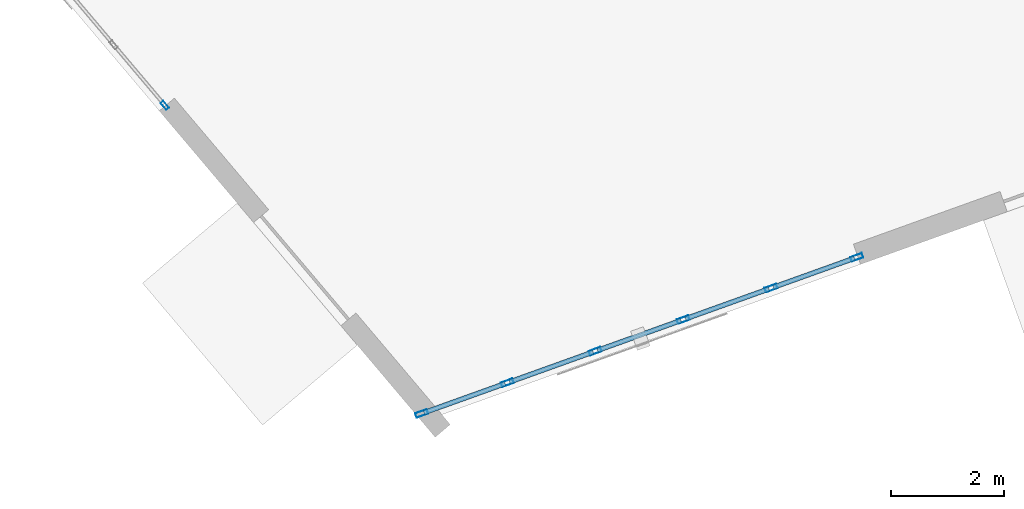
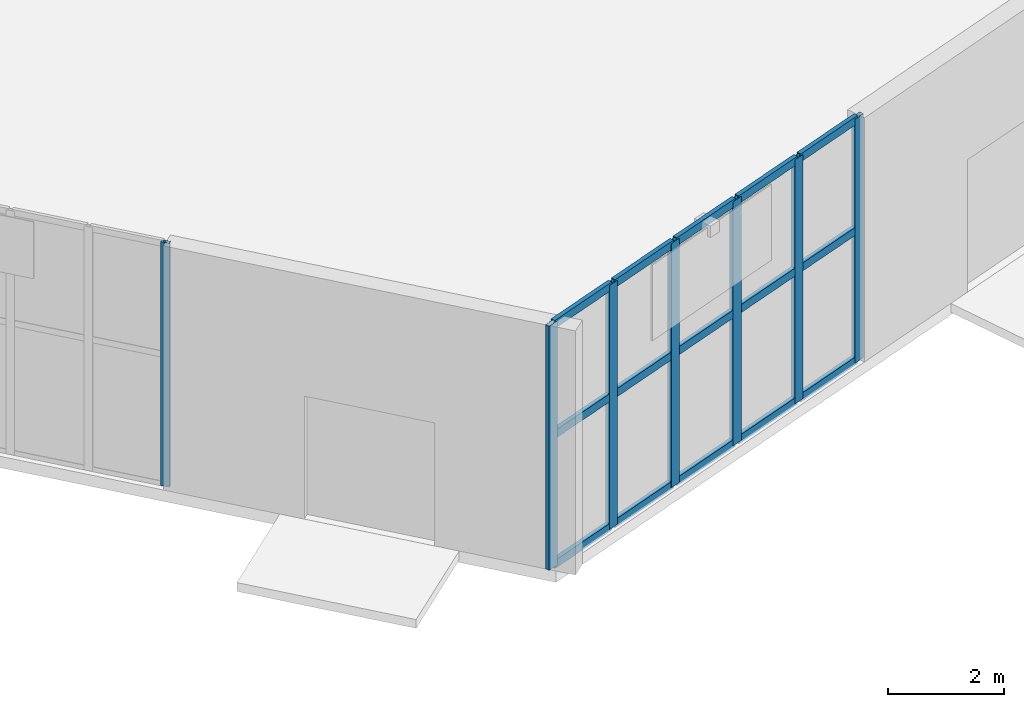
# One storey, part 32 of 139: 22 members, 2 elements without a shape of their own.
"""IFC4 building model written with IfcOpenShell, lengths in metres."""

from ifc_helpers import new_model, si_unit, direction, frame, origin, origin_2d, place, context, subcontext, project, spatial, hollow_rectangle, extrude, material, layer, layer_set, material_profile, profile_set, type_object, element, aggregate, save


model = new_model("IFC4")

# Units and contexts
model_context = context("Model", 3, precision=1e-05, world=origin(), true_north=direction((0.0, 1.0)))
body_context = subcontext(model_context, "Body", "Model", "MODEL_VIEW")
ifc_project = project(units=[si_unit("LENGTHUNIT", "METRE"), si_unit("AREAUNIT", "SQUARE_METRE"), si_unit("VOLUMEUNIT", "CUBIC_METRE"), si_unit("PLANEANGLEUNIT", "RADIAN"), si_unit("MASSUNIT", "GRAM", prefix="KILO")], contexts=[model_context])

# Site, building, storey
site_placement = place(None, origin())
site = spatial("IfcSite", under=ifc_project, at=site_placement, CompositionType="ELEMENT")
building_placement = place(site_placement, origin())
building = spatial("IfcBuilding", under=site, at=building_placement, Name="Xicomal Pleat Aquarium", CompositionType="ELEMENT")
storey_placement = place(building_placement, origin())
storey = spatial("IfcBuildingStorey", under=building, at=storey_placement, Name="L01", CompositionType="ELEMENT", Elevation=0.0)

# Curtain wall, member
ifc_material_1 = material(Name="Bronze anodized aluminium 6063-T6", Category="aluminium")
ifc_layer_1 = layer(ifc_material_1, 0.159912109375)
ifc_layer_set_1 = layer_set([ifc_layer_1], Name="Bronze anodized aluminium 6063-T6")
curtain_wall_type_1 = type_object("IfcCurtainWallType", Name="CW-SYS-01", PredefinedType="NOTDEFINED", material=ifc_layer_set_1)
curtain_wall_1_placement = place(storey_placement, origin())
curtain_wall_1 = element("IfcCurtainWall", 1, at=curtain_wall_1_placement, inside=storey, type_object=curtain_wall_type_1, Name="L01 unitised curtain wall CW-L01-003", PredefinedType="NOTDEFINED")
ifc_material_2 = material(Name="Bronze anodized aluminium 6063-T6", Category="aluminium")
ifc_material_profile_1 = material_profile(ifc_material_2, hollow_rectangle(XDim=0.06494140625, YDim=0.159912109375, WallThickness=0.00390625, at=origin_2d()), Name="ALU MULL 65x160")
ifc_profile_set_1 = profile_set([ifc_material_profile_1], Name="Bronze anodized aluminium 6063-T6")
member_type_1 = type_object("IfcMemberType", Name="CWM-65x160", PredefinedType="MULLION", material=ifc_profile_set_1)
member_1_placement = place(storey_placement, frame((66.236083984375, 6.414794921875, 0.0), z_axis=(0.0, 0.0, 1.0), x_axis=(-0.763649549367, -0.645630982645, 0.0)))
member_1 = element("IfcMember", 2, at=member_1_placement, type_object=member_type_1, Name="CW-01 mullion 1", PredefinedType="MULLION", context=body_context, shape_type="SweptSolid", body=[
    extrude(hollow_rectangle(XDim=0.06494140625, YDim=0.159912109375, WallThickness=0.00390625, at=origin_2d()), origin(), (0.0, 0.0, 1.0), 5.159912109375),
])
aggregate(curtain_wall_1, [member_1])

# Curtain wall, members
ifc_material_3 = material(Name="Bronze anodized aluminium 6063-T6", Category="aluminium")
ifc_layer_2 = layer(ifc_material_3, 0.159912109375)
ifc_layer_set_2 = layer_set([ifc_layer_2], Name="Bronze anodized aluminium 6063-T6")
curtain_wall_type_2 = type_object("IfcCurtainWallType", Name="CW-SYS-11", PredefinedType="NOTDEFINED", material=ifc_layer_set_2)
curtain_wall_2_placement = place(storey_placement, origin())
curtain_wall_2 = element("IfcCurtainWall", 3, at=curtain_wall_2_placement, inside=storey, type_object=curtain_wall_type_2, Name="L01 unitised curtain wall CW-L01-002", PredefinedType="NOTDEFINED")
ifc_material_4 = material(Name="Bronze anodized aluminium 6063-T6", Category="aluminium")
ifc_material_profile_2 = material_profile(ifc_material_4, hollow_rectangle(XDim=0.0849609375, YDim=0.219970703125, WallThickness=0.0048828125, at=origin_2d()), Name="ALU MULL 85x220")
ifc_profile_set_2 = profile_set([ifc_material_profile_2], Name="Bronze anodized aluminium 6063-T6")
member_type_2 = type_object("IfcMemberType", Name="CWM-85x220", PredefinedType="MULLION", material=ifc_profile_set_2)
member_2_placement = place(storey_placement, frame((78.512939453125, 3.717529296875, 0.0), z_axis=(0.0, 0.0, 1.0), x_axis=(0.3378647536, -0.941194670764, 0.0)))
member_2 = element("IfcMember", 4, at=member_2_placement, type_object=member_type_2, Name="CW-11 mullion 1", PredefinedType="MULLION", context=body_context, shape_type="SweptSolid", body=[
    extrude(hollow_rectangle(XDim=0.0849609375, YDim=0.219970703125, WallThickness=0.0048828125, at=origin_2d()), origin(), (0.0, 0.0, 1.0), 5.159912109375),
])
member_3_placement = place(storey_placement, frame((76.992919921875, 3.172119140625, 0.0), z_axis=(0.0, 0.0, 1.0), x_axis=(0.3378647536, -0.941194670764, 0.0)))
member_3 = element("IfcMember", 5, at=member_3_placement, type_object=member_type_2, Name="CW-11 mullion 2", PredefinedType="MULLION", context=body_context, shape_type="SweptSolid", body=[
    extrude(hollow_rectangle(XDim=0.0849609375, YDim=0.219970703125, WallThickness=0.0048828125, at=origin_2d()), origin(), (0.0, 0.0, 1.0), 5.159912109375),
])
member_4_placement = place(storey_placement, frame((75.43310546875, 2.612060546875, 0.0), z_axis=(0.0, 0.0, 1.0), x_axis=(0.3378647536, -0.941194670764, 0.0)))
member_4 = element("IfcMember", 6, at=member_4_placement, type_object=member_type_2, Name="CW-11 mullion 3", PredefinedType="MULLION", context=body_context, shape_type="SweptSolid", body=[
    extrude(hollow_rectangle(XDim=0.0849609375, YDim=0.219970703125, WallThickness=0.0048828125, at=origin_2d()), origin(), (0.0, 0.0, 1.0), 5.159912109375),
])
member_5_placement = place(storey_placement, frame((73.873046875, 2.052001953125, 0.0), z_axis=(0.0, 0.0, 1.0), x_axis=(0.3378647536, -0.941194670764, 0.0)))
member_5 = element("IfcMember", 7, at=member_5_placement, type_object=member_type_2, Name="CW-11 mullion 4", PredefinedType="MULLION", context=body_context, shape_type="SweptSolid", body=[
    extrude(hollow_rectangle(XDim=0.0849609375, YDim=0.219970703125, WallThickness=0.0048828125, at=origin_2d()), origin(), (0.0, 0.0, 1.0), 5.159912109375),
])
member_6_placement = place(storey_placement, frame((72.31298828125, 1.491943359375, 0.0), z_axis=(0.0, 0.0, 1.0), x_axis=(0.3378647536, -0.941194670764, 0.0)))
member_6 = element("IfcMember", 8, at=member_6_placement, type_object=member_type_2, Name="CW-11 mullion 5", PredefinedType="MULLION", context=body_context, shape_type="SweptSolid", body=[
    extrude(hollow_rectangle(XDim=0.0849609375, YDim=0.219970703125, WallThickness=0.0048828125, at=origin_2d()), origin(), (0.0, 0.0, 1.0), 5.159912109375),
])
member_7_placement = place(storey_placement, frame((70.79296875, 0.9462890625, 0.0), z_axis=(0.0, 0.0, 1.0), x_axis=(0.3378647536, -0.941194670764, 0.0)))
member_7 = element("IfcMember", 9, at=member_7_placement, type_object=member_type_2, Name="CW-11 mullion 6", PredefinedType="MULLION", context=body_context, shape_type="SweptSolid", body=[
    extrude(hollow_rectangle(XDim=0.0849609375, YDim=0.219970703125, WallThickness=0.0048828125, at=origin_2d()), origin(), (0.0, 0.0, 1.0), 5.159912109375),
])
ifc_material_5 = material(Name="Bronze anodized aluminium 6063-T6", Category="aluminium")
ifc_material_profile_3 = material_profile(ifc_material_5, hollow_rectangle(XDim=0.0849609375, YDim=0.169921875, WallThickness=0.0048828125, at=origin_2d()), Name="ALU TRAN 85x170")
ifc_profile_set_3 = profile_set([ifc_material_profile_3], Name="Bronze anodized aluminium 6063-T6")
member_type_3 = type_object("IfcMemberType", Name="CWT-85x170", PredefinedType="USERDEFINED", material=ifc_profile_set_3)
member_8_placement = place(storey_placement, frame((78.472900390625, 3.703369140625, 0.04248046875), z_axis=(-0.941155631144, -0.337973487074, 0.0), x_axis=(0.337973487074, -0.941155631144, 0.0)))
member_8 = element("IfcMember", 10, at=member_8_placement, type_object=member_type_3, Name="CW-11 transom 1.1", ObjectType="TRANSOM", PredefinedType="USERDEFINED", context=body_context, shape_type="SweptSolid", body=[
    extrude(hollow_rectangle(XDim=0.0849609375, YDim=0.169921875, WallThickness=0.0048828125, at=origin_2d()), origin(), (0.0, 0.0, 1.0), 1.530029296875),
])
member_9_placement = place(storey_placement, frame((78.472900390625, 3.703369140625, 2.785888671875), z_axis=(-0.941155631144, -0.337973487074, 0.0), x_axis=(0.337973487074, -0.941155631144, 0.0)))
member_9 = element("IfcMember", 11, at=member_9_placement, type_object=member_type_3, Name="CW-11 transom 1.2", ObjectType="TRANSOM", PredefinedType="USERDEFINED", context=body_context, shape_type="SweptSolid", body=[
    extrude(hollow_rectangle(XDim=0.0849609375, YDim=0.169921875, WallThickness=0.0048828125, at=origin_2d()), origin(), (0.0, 0.0, 1.0), 1.530029296875),
])
member_10_placement = place(storey_placement, frame((78.472900390625, 3.703369140625, 5.117431640625), z_axis=(-0.941155631144, -0.337973487074, 0.0), x_axis=(0.337973487074, -0.941155631144, 0.0)))
member_10 = element("IfcMember", 12, at=member_10_placement, type_object=member_type_3, Name="CW-11 transom 1.3", ObjectType="TRANSOM", PredefinedType="USERDEFINED", context=body_context, shape_type="SweptSolid", body=[
    extrude(hollow_rectangle(XDim=0.0849609375, YDim=0.169921875, WallThickness=0.0048828125, at=origin_2d()), origin(), (0.0, 0.0, 1.0), 1.530029296875),
])
member_11_placement = place(storey_placement, frame((76.952880859375, 3.15771484375, 0.04248046875), z_axis=(-0.941199734538, -0.33785064704, 0.0), x_axis=(0.33785064704, -0.941199734538, 0.0)))
member_11 = element("IfcMember", 13, at=member_11_placement, type_object=member_type_3, Name="CW-11 transom 2.1", ObjectType="TRANSOM", PredefinedType="USERDEFINED", context=body_context, shape_type="SweptSolid", body=[
    extrude(hollow_rectangle(XDim=0.0849609375, YDim=0.169921875, WallThickness=0.0048828125, at=origin_2d()), origin(), (0.0, 0.0, 1.0), 1.572509765625),
])
member_12_placement = place(storey_placement, frame((76.952880859375, 3.15771484375, 2.785888671875), z_axis=(-0.941199734538, -0.33785064704, 0.0), x_axis=(0.33785064704, -0.941199734538, 0.0)))
member_12 = element("IfcMember", 14, at=member_12_placement, type_object=member_type_3, Name="CW-11 transom 2.2", ObjectType="TRANSOM", PredefinedType="USERDEFINED", context=body_context, shape_type="SweptSolid", body=[
    extrude(hollow_rectangle(XDim=0.0849609375, YDim=0.169921875, WallThickness=0.0048828125, at=origin_2d()), origin(), (0.0, 0.0, 1.0), 1.572509765625),
])
member_13_placement = place(storey_placement, frame((76.952880859375, 3.15771484375, 5.117431640625), z_axis=(-0.941199734538, -0.33785064704, 0.0), x_axis=(0.33785064704, -0.941199734538, 0.0)))
member_13 = element("IfcMember", 15, at=member_13_placement, type_object=member_type_3, Name="CW-11 transom 2.3", ObjectType="TRANSOM", PredefinedType="USERDEFINED", context=body_context, shape_type="SweptSolid", body=[
    extrude(hollow_rectangle(XDim=0.0849609375, YDim=0.169921875, WallThickness=0.0048828125, at=origin_2d()), origin(), (0.0, 0.0, 1.0), 1.572509765625),
])
member_14_placement = place(storey_placement, frame((75.39306640625, 2.59765625, 0.04248046875), z_axis=(-0.941199734538, -0.33785064704, 0.0), x_axis=(0.33785064704, -0.941199734538, 0.0)))
member_14 = element("IfcMember", 16, at=member_14_placement, type_object=member_type_3, Name="CW-11 transom 3.1", ObjectType="TRANSOM", PredefinedType="USERDEFINED", context=body_context, shape_type="SweptSolid", body=[
    extrude(hollow_rectangle(XDim=0.0849609375, YDim=0.169921875, WallThickness=0.0048828125, at=origin_2d()), origin(), (0.0, 0.0, 1.0), 1.572509765625),
])
member_15_placement = place(storey_placement, frame((75.39306640625, 2.59765625, 2.785888671875), z_axis=(-0.941199734538, -0.33785064704, 0.0), x_axis=(0.33785064704, -0.941199734538, 0.0)))
member_15 = element("IfcMember", 17, at=member_15_placement, type_object=member_type_3, Name="CW-11 transom 3.2", ObjectType="TRANSOM", PredefinedType="USERDEFINED", context=body_context, shape_type="SweptSolid", body=[
    extrude(hollow_rectangle(XDim=0.0849609375, YDim=0.169921875, WallThickness=0.0048828125, at=origin_2d()), origin(), (0.0, 0.0, 1.0), 1.572509765625),
])
member_16_placement = place(storey_placement, frame((75.39306640625, 2.59765625, 5.117431640625), z_axis=(-0.941199734538, -0.33785064704, 0.0), x_axis=(0.33785064704, -0.941199734538, 0.0)))
member_16 = element("IfcMember", 18, at=member_16_placement, type_object=member_type_3, Name="CW-11 transom 3.3", ObjectType="TRANSOM", PredefinedType="USERDEFINED", context=body_context, shape_type="SweptSolid", body=[
    extrude(hollow_rectangle(XDim=0.0849609375, YDim=0.169921875, WallThickness=0.0048828125, at=origin_2d()), origin(), (0.0, 0.0, 1.0), 1.572509765625),
])
member_17_placement = place(storey_placement, frame((73.8330078125, 2.03759765625, 0.04248046875), z_axis=(-0.941199734538, -0.33785064704, 0.0), x_axis=(0.33785064704, -0.941199734538, 0.0)))
member_17 = element("IfcMember", 19, at=member_17_placement, type_object=member_type_3, Name="CW-11 transom 4.1", ObjectType="TRANSOM", PredefinedType="USERDEFINED", context=body_context, shape_type="SweptSolid", body=[
    extrude(hollow_rectangle(XDim=0.0849609375, YDim=0.169921875, WallThickness=0.0048828125, at=origin_2d()), origin(), (0.0, 0.0, 1.0), 1.572509765625),
])
member_18_placement = place(storey_placement, frame((73.8330078125, 2.03759765625, 2.785888671875), z_axis=(-0.941199734538, -0.33785064704, 0.0), x_axis=(0.33785064704, -0.941199734538, 0.0)))
member_18 = element("IfcMember", 20, at=member_18_placement, type_object=member_type_3, Name="CW-11 transom 4.2", ObjectType="TRANSOM", PredefinedType="USERDEFINED", context=body_context, shape_type="SweptSolid", body=[
    extrude(hollow_rectangle(XDim=0.0849609375, YDim=0.169921875, WallThickness=0.0048828125, at=origin_2d()), origin(), (0.0, 0.0, 1.0), 1.572509765625),
])
member_19_placement = place(storey_placement, frame((73.8330078125, 2.03759765625, 5.117431640625), z_axis=(-0.941199734538, -0.33785064704, 0.0), x_axis=(0.33785064704, -0.941199734538, 0.0)))
member_19 = element("IfcMember", 21, at=member_19_placement, type_object=member_type_3, Name="CW-11 transom 4.3", ObjectType="TRANSOM", PredefinedType="USERDEFINED", context=body_context, shape_type="SweptSolid", body=[
    extrude(hollow_rectangle(XDim=0.0849609375, YDim=0.169921875, WallThickness=0.0048828125, at=origin_2d()), origin(), (0.0, 0.0, 1.0), 1.572509765625),
])
member_20_placement = place(storey_placement, frame((72.27294921875, 1.4775390625, 0.04248046875), z_axis=(-0.941206380829, -0.337832130928, 0.0), x_axis=(0.337832130928, -0.941206380829, 0.0)))
member_20 = element("IfcMember", 22, at=member_20_placement, type_object=member_type_3, Name="CW-11 transom 5.1", ObjectType="TRANSOM", PredefinedType="USERDEFINED", context=body_context, shape_type="SweptSolid", body=[
    extrude(hollow_rectangle(XDim=0.0849609375, YDim=0.169921875, WallThickness=0.0048828125, at=origin_2d()), origin(), (0.0, 0.0, 1.0), 1.52978515625),
])
member_21_placement = place(storey_placement, frame((72.27294921875, 1.4775390625, 2.785888671875), z_axis=(-0.941206380829, -0.337832130928, 0.0), x_axis=(0.337832130928, -0.941206380829, 0.0)))
member_21 = element("IfcMember", 23, at=member_21_placement, type_object=member_type_3, Name="CW-11 transom 5.2", ObjectType="TRANSOM", PredefinedType="USERDEFINED", context=body_context, shape_type="SweptSolid", body=[
    extrude(hollow_rectangle(XDim=0.0849609375, YDim=0.169921875, WallThickness=0.0048828125, at=origin_2d()), origin(), (0.0, 0.0, 1.0), 1.52978515625),
])
member_22_placement = place(storey_placement, frame((72.27294921875, 1.4775390625, 5.117431640625), z_axis=(-0.941206380829, -0.337832130928, 0.0), x_axis=(0.337832130928, -0.941206380829, 0.0)))
member_22 = element("IfcMember", 24, at=member_22_placement, type_object=member_type_3, Name="CW-11 transom 5.3", ObjectType="TRANSOM", PredefinedType="USERDEFINED", context=body_context, shape_type="SweptSolid", body=[
    extrude(hollow_rectangle(XDim=0.0849609375, YDim=0.169921875, WallThickness=0.0048828125, at=origin_2d()), origin(), (0.0, 0.0, 1.0), 1.52978515625),
])
aggregate(curtain_wall_2, [member_2, member_3, member_4, member_5, member_6, member_7, member_8, member_9, member_10, member_11, member_12, member_13, member_14, member_15, member_16, member_17, member_18, member_19, member_20, member_21, member_22])

save(model, "model.ifc")
